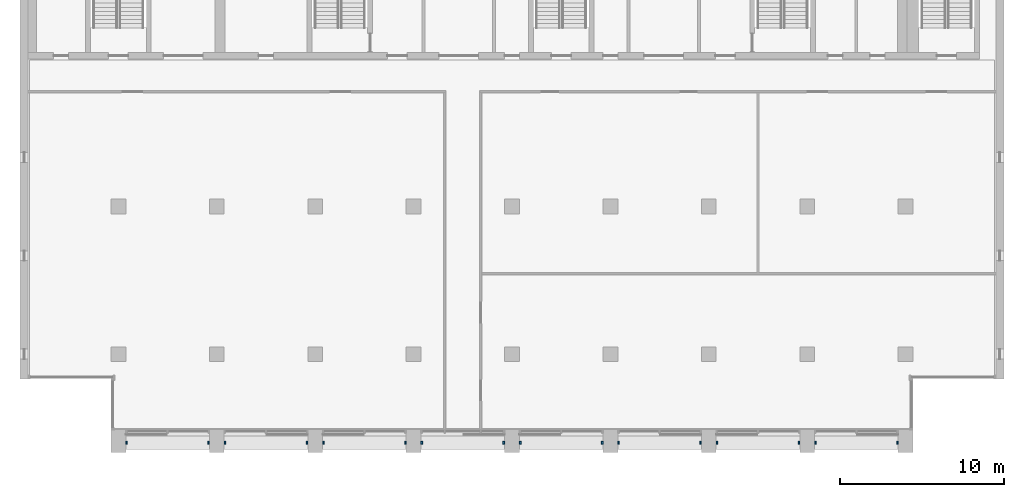
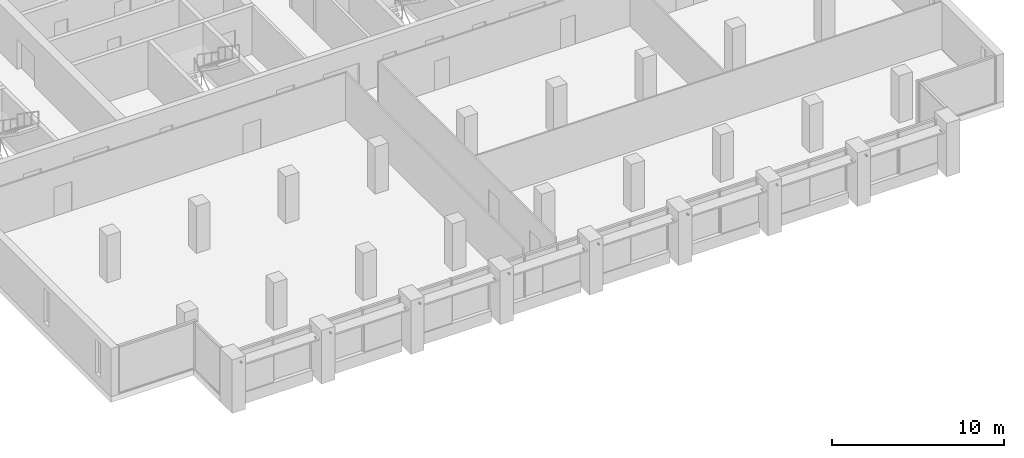
# One storey, part 13 of 14: 16 discrete accessories.
"""IFC4 building model written with IfcOpenShell, lengths in metres."""

import ifcopenshell
import ifcopenshell.guid

model = None  # the IFC model being written
_history = None  # IfcOwnerHistory: only IFC2X3 demands one
_inside = {}  # id of a spatial element -> (the spatial element, [elements in it])
_under = {}  # id of a project, library or spatial element -> (it, [spatial elements below it])
_declared = {}  # id of a project -> (the project, [libraries it declares])
_typed = {}  # id of a type object -> (the type object, [elements of that type])
_made_of = {}  # id of a material, layer set ... -> (it, [elements and type objects made of it])


def new_model(schema):
    """Start an empty IFC model of exactly this schema.

    Asked for "IFC4X3", IfcOpenShell would pick the latest addendum, in which some entities
    have other attributes; the version numbers below select the first issue.
    IFC2X3 requires an IfcOwnerHistory on every rooted entity: one is made here for all.
    """
    global model, _history
    if schema == "IFC4X3":
        model = ifcopenshell.file(schema_version=(4, 3, 0, 0))
    else:
        model = ifcopenshell.file(schema=schema)
    _inside.clear()
    _under.clear()
    _declared.clear()
    _typed.clear()
    _made_of.clear()
    _history = None
    if model.schema == "IFC2X3":
        org = make("IfcOrganization", Name="unknown")
        user = make(
            "IfcPersonAndOrganization",
            ThePerson=make("IfcPerson", FamilyName="unknown"),
            TheOrganization=org,
        )
        app = make(
            "IfcApplication",
            ApplicationDeveloper=org,
            Version="unknown",
            ApplicationFullName="unknown",
            ApplicationIdentifier="unknown",
        )
        _history = make(
            "IfcOwnerHistory",
            OwningUser=user,
            OwningApplication=app,
            ChangeAction="ADDED",
            CreationDate=0,
        )
    return model


def make(cls, **values):
    """One entity of the class cls with the attributes given. An attribute that is None is left unset."""
    return model.create_entity(
        cls, **{name: value for name, value in values.items() if value is not None}
    )


def rooted(cls, **values):
    """An entity with a GlobalId (a new one), such as an element, a storey or a relation."""
    return make(cls, GlobalId=ifcopenshell.guid.new(), OwnerHistory=_history, **values)


def si_unit(unit_type, name, prefix=None):
    """IfcSIUnit, for example si_unit("LENGTHUNIT", "METRE", prefix="MILLI")."""
    return make("IfcSIUnit", UnitType=unit_type, Prefix=prefix, Name=name)


def assignment(units):
    """IfcUnitAssignment: the units of a project."""
    return None if units is None else make("IfcUnitAssignment", Units=units)


def point(xyz):
    """IfcCartesianPoint."""
    return None if xyz is None else make("IfcCartesianPoint", Coordinates=xyz)


def direction(xyz):
    """IfcDirection."""
    return None if xyz is None else make("IfcDirection", DirectionRatios=xyz)


def frame(location, z_axis=None, x_axis=None):
    """IfcAxis2Placement3D, a coordinate frame: its origin and axes. An axis left out is left unset."""
    return make(
        "IfcAxis2Placement3D",
        Location=point(location),
        Axis=direction(z_axis),
        RefDirection=direction(x_axis),
    )


def frame_2d(location, x_axis=None):
    """IfcAxis2Placement2D, a coordinate frame in the plane: its origin and x axis."""
    return make(
        "IfcAxis2Placement2D", Location=point(location), RefDirection=direction(x_axis)
    )


def origin():
    """The frame at (0, 0, 0) with its axes left unset."""
    return frame((0.0, 0.0, 0.0))


def origin_2d():
    """The frame at (0, 0) in the plane with its x axis left unset."""
    return frame_2d((0.0, 0.0))


def place(relative_to, where):
    """IfcLocalPlacement: puts the frame where relative to a parent placement (None: the world)."""
    return make(
        "IfcLocalPlacement", PlacementRelTo=relative_to, RelativePlacement=where
    )


def context(
    kind, dimensions, precision=None, world=None, true_north=None, identifier=None
):
    """IfcGeometricRepresentationContext, for example the 3D "Model" context."""
    return make(
        "IfcGeometricRepresentationContext",
        ContextIdentifier=identifier,
        ContextType=kind,
        CoordinateSpaceDimension=dimensions,
        Precision=precision,
        WorldCoordinateSystem=world,
        TrueNorth=true_north,
    )


def subcontext(parent, identifier, kind, view, scale=None):
    """IfcGeometricRepresentationSubContext, for example "Body" below "Model"."""
    return make(
        "IfcGeometricRepresentationSubContext",
        ContextIdentifier=identifier,
        ContextType=kind,
        ParentContext=parent,
        TargetScale=scale,
        TargetView=view,
    )


def project(units=None, contexts=None):
    """IfcProject with its units and contexts."""
    return rooted(
        "IfcProject",
        Name="project",
        RepresentationContexts=contexts,
        UnitsInContext=assignment(units),
    )


def spatial(cls, under=None, at=None, **own):
    """A site, building, storey or space (cls), placed at a placement, below another one or the project."""
    s = rooted(cls, ObjectPlacement=at, **own)
    if under is not None:
        _under.setdefault(under.id(), (under, []))[1].append(s)
    return s


def profile(cls, at=None, kind="AREA", **sizes):
    """A parametric profile (cls). Its sizes go by their IFC names, for example OverallWidth=200.0."""
    return make(cls, ProfileType=kind, Position=at, **sizes)


def rectangle(**sizes):
    """IfcRectangleProfileDef."""
    return profile("IfcRectangleProfileDef", **sizes)


def extrude(swept, where, along, depth):
    """IfcExtrudedAreaSolid: the profile swept, set in the frame where, extruded along a direction by depth."""
    return make(
        "IfcExtrudedAreaSolid",
        SweptArea=swept,
        Position=where,
        ExtrudedDirection=direction(along),
        Depth=depth,
    )


def shape(context_of_items, identifier, shape_type, items):
    """IfcShapeRepresentation: the items that make up one representation, for example the "Body"."""
    return make(
        "IfcShapeRepresentation",
        ContextOfItems=context_of_items,
        RepresentationIdentifier=identifier,
        RepresentationType=shape_type,
        Items=items,
    )


def made_of(thing, what):
    """Note that an element or type object is made of a material, layer set ...; save() writes the relation."""
    if what is not None:
        _made_of.setdefault(what.id(), (what, []))[1].append(thing)
    return thing


def element(
    cls,
    number,
    at=None,
    inside=None,
    cuts=None,
    type_object=None,
    material=None,
    context=None,
    identifier="Body",
    shape_type=None,
    held_by="IfcProductDefinitionShape",
    body=None,
    shapes=None,
    **own,
):
    """One element of the class cls, such as IfcWall. Its Tag is "e" and its number.

    at: its placement. inside: the storey or other place that contains it. cuts: it is an
    opening in that element (IfcRelVoidsElement). A single representation is given by context,
    identifier, shape_type and body (its items); several are given by shapes. held_by: the class
    of the entity that holds the representations. save() writes the other relations.
    """
    e = rooted(cls, Tag="e%d" % number, ObjectPlacement=at, **own)
    if body is not None:
        shapes = [shape(context, identifier, shape_type, body)]
    if shapes is not None:
        e.Representation = make(held_by, Representations=shapes)
    if inside is not None:
        _inside.setdefault(inside.id(), (inside, []))[1].append(e)
    if cuts is not None:
        rooted(
            "IfcRelVoidsElement", RelatingBuildingElement=cuts, RelatedOpeningElement=e
        )
    if type_object is not None:
        _typed.setdefault(type_object.id(), (type_object, []))[1].append(e)
    return made_of(e, material)


def aggregate(whole, parts):
    """IfcRelAggregates: a whole, such as a stair, and the parts it consists of."""
    return rooted("IfcRelAggregates", RelatingObject=whole, RelatedObjects=parts)


def save(model, path):
    """Write the relations noted so far, then the file.

    IfcRelAggregates (storeys below a building ...), IfcRelContainedInSpatialStructure (elements
    in a storey), IfcRelDefinesByType, IfcRelAssociatesMaterial and IfcRelDeclares: one each for
    every whole, place, type object, material and project.
    """
    for whole, parts in _under.values():
        aggregate(whole, parts)
    for where, things in _inside.values():
        rooted(
            "IfcRelContainedInSpatialStructure",
            RelatedElements=things,
            RelatingStructure=where,
        )
    for kind, things in _typed.values():
        rooted("IfcRelDefinesByType", RelatedObjects=things, RelatingType=kind)
    for what, things in _made_of.values():
        rooted("IfcRelAssociatesMaterial", RelatedObjects=things, RelatingMaterial=what)
    for by, libraries in _declared.values():
        rooted("IfcRelDeclares", RelatingContext=by, RelatedDefinitions=libraries)
    model.write(path)


model = new_model("IFC4")

# Units and contexts
model_context = context("Model", 3, precision=1e-05, world=origin(), true_north=direction((0.0, 1.0)))
body_context = subcontext(model_context, "Body", "Model", "MODEL_VIEW")
ifc_project = project(units=[si_unit("LENGTHUNIT", "METRE"), si_unit("AREAUNIT", "SQUARE_METRE"), si_unit("VOLUMEUNIT", "CUBIC_METRE"), si_unit("PLANEANGLEUNIT", "RADIAN"), si_unit("MASSUNIT", "GRAM", prefix="KILO")], contexts=[model_context])

# Site, building, storey
site_placement = place(None, origin())
site = spatial("IfcSite", under=ifc_project, at=site_placement, CompositionType="ELEMENT")
building_placement = place(site_placement, origin())
building = spatial("IfcBuilding", under=site, at=building_placement, Name="Calvaro Tower", CompositionType="ELEMENT")
storey_placement = place(building_placement, frame((0.0, 0.0, 243.14990234375)))
storey = spatial("IfcBuildingStorey", under=building, at=storey_placement, Name="L61", CompositionType="ELEMENT", Elevation=243.14990234375)

# Discrete accessories
for number, where, z_axis, x_axis, name in (
    (1, (12.5, 4.60009765625, 2.5), (0.0, 0.0, 1.0), (1.0, 0.0, 0.0), "Brise-soleil bracket"),
    (2, (17.5, 4.60009765625, 2.5), (0.0, 0.0, 1.0), (1.0, 0.0, 0.0), "Brise-soleil bracket"),
    (3, (18.5, 4.60009765625, 2.5), (0.0, 0.0, 1.0), (1.0, 0.0, 0.0), "Brise-soleil bracket"),
    (4, (23.5, 4.60009765625, 2.5), (0.0, 0.0, 1.0), (1.0, 0.0, 0.0), "Brise-soleil bracket"),
    (5, (24.5, 4.60009765625, 2.5), (0.0, 0.0, 1.0), (1.0, 0.0, 0.0), "Brise-soleil bracket"),
    (6, (29.5, 4.60009765625, 2.5), (0.0, 0.0, 1.0), (1.0, 0.0, 0.0), "Brise-soleil bracket"),
    (7, (30.5, 4.60009765625, 2.5), (0.0, 0.0, 1.0), (1.0, 0.0, 0.0), "Brise-soleil bracket"),
    (8, (35.5, 4.60009765625, 2.5), (0.0, 0.0, 1.0), (1.0, 0.0, 0.0), "Brise-soleil bracket"),
    (9, (36.5, 4.60009765625, 2.5), (0.0, 0.0, 1.0), (1.0, 0.0, 0.0), "Brise-soleil bracket"),
    (10, (41.5, 4.60009765625, 2.5), (0.0, 0.0, 1.0), (1.0, 0.0, 0.0), "Brise-soleil bracket"),
    (11, (42.5, 4.60009765625, 2.5), (0.0, 0.0, 1.0), (1.0, 0.0, 0.0), "Brise-soleil bracket"),
    (12, (47.5, 4.60009765625, 2.5), (0.0, 0.0, 1.0), (1.0, 0.0, 0.0), "Brise-soleil bracket"),
    (13, (48.5, 4.60009765625, 2.5), (0.0, 0.0, 1.0), (1.0, 0.0, 0.0), "Brise-soleil bracket"),
    (14, (53.5, 4.60009765625, 2.5), (0.0, 0.0, 1.0), (1.0, 0.0, 0.0), "Brise-soleil bracket"),
    (15, (54.5, 4.60009765625, 2.5), (0.0, 0.0, 1.0), (1.0, 0.0, 0.0), "Brise-soleil bracket"),
    (16, (59.5, 4.60009765625, 2.5), (0.0, 0.0, 1.0), (1.0, 0.0, 0.0), "Brise-soleil bracket"),
):
    element("IfcDiscreteAccessory", number, at=place(storey_placement, frame(where, z_axis=z_axis, x_axis=x_axis)), inside=storey, Name=name, PredefinedType="BRACKET", context=body_context, shape_type="SweptSolid", body=[
        extrude(rectangle(XDim=0.10009765625, YDim=0.199951171875, at=origin_2d()), origin(), (0.0, 0.0, 1.0), 0.10009765625),
    ])

save(model, "model.ifc")
